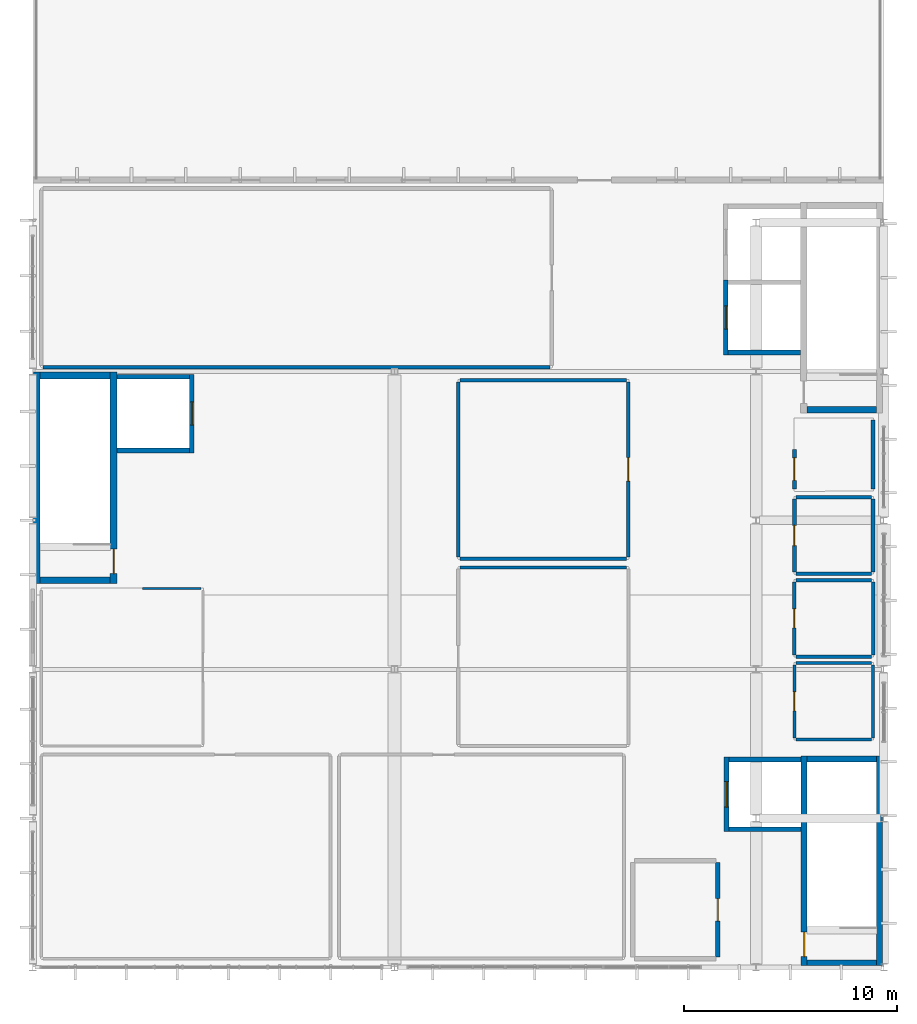
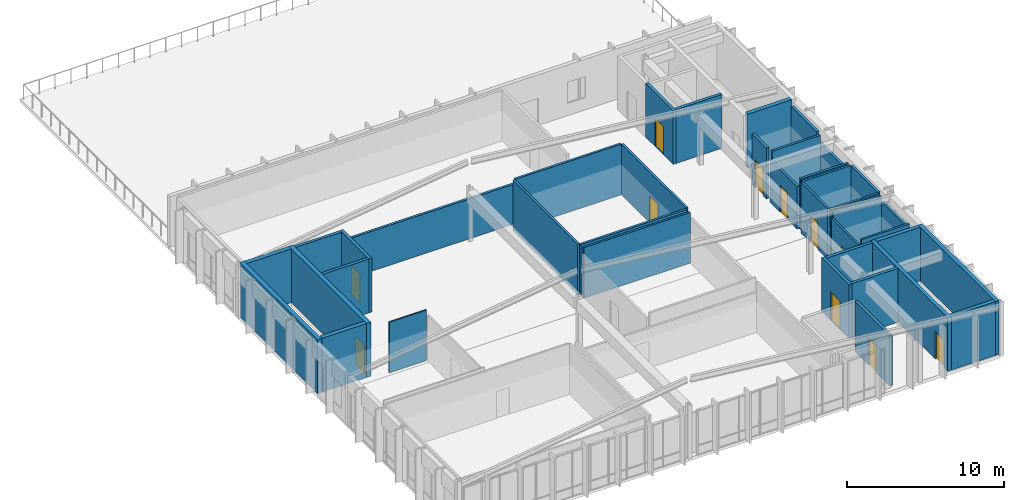
# One storey, part 13 of 16: 39 walls, 11 doors, 11 openings.
"""IFC4 building model written with IfcOpenShell, lengths in metres."""

from ifc_helpers import new_model, si_unit, direction, frame, frame_2d, origin, place, context, subcontext, project, spatial, rectangle, extrude, material, layer, layer_set, type_object, element, fill, save


model = new_model("IFC4")

# Units and contexts
model_context = context("Model", 3, precision=1e-05, world=origin(), true_north=direction((0.0, 1.0)))
body_context = subcontext(model_context, "Body", "Model", "MODEL_VIEW")
ifc_project = project(units=[si_unit("LENGTHUNIT", "METRE"), si_unit("AREAUNIT", "SQUARE_METRE"), si_unit("VOLUMEUNIT", "CUBIC_METRE"), si_unit("PLANEANGLEUNIT", "RADIAN"), si_unit("MASSUNIT", "GRAM", prefix="KILO")], contexts=[model_context])

# Site, building, storey
site_placement = place(None, origin())
site = spatial("IfcSite", under=ifc_project, at=site_placement, CompositionType="ELEMENT")
building_placement = place(site_placement, origin())
building = spatial("IfcBuilding", under=site, at=building_placement, Name="Larkveld Mobility Hub", CompositionType="ELEMENT")
storey_placement = place(building_placement, frame((0.0, 0.0, 22.800048828125)))
storey = spatial("IfcBuildingStorey", under=building, at=storey_placement, Name="L06", CompositionType="ELEMENT", Elevation=22.800048828125)

# Wall, opening, door
ifc_material_1 = material(Name="Concrete C40/50", Category="concrete")
ifc_layer_1 = layer(ifc_material_1, 0.280029296875, Name="Concrete C40/50", Category="concrete")
ifc_layer_set_1 = layer_set([ifc_layer_1], Name="Concrete C40/50")
wall_type_1 = type_object("IfcWallType", Name="WL-CORE-280", PredefinedType="SHEAR", material=ifc_layer_set_1)
wall_1_placement = place(storey_placement, frame((148.260009765625, 28.070068359375, 0.0), z_axis=(0.0, 0.0, 1.0), x_axis=(0.0, 1.0, 0.0)))
wall_1 = element("IfcWall", 1, at=wall_1_placement, inside=storey, type_object=wall_type_1, Name="Core C1 Stair Shear Wall L06-W", PredefinedType="SHEAR", context=body_context, shape_type="SweptSolid", body=[
    extrude(rectangle(XDim=9.85986328125, YDim=0.280029296875, at=frame_2d((4.929931640625, 0.0))), origin(), (0.0, 0.0, 1.0), 4.199951171875),
])
opening_1_placement = place(wall_1_placement, frame((0.429931640625, 0.0, 0.0)))
opening_1 = element("IfcOpeningElement", 2, at=opening_1_placement, cuts=wall_1, Name="Opening DF01", PredefinedType="OPENING", context=body_context, shape_type="SweptSolid", body=[
    extrude(rectangle(XDim=1.14990234375, YDim=2.14990234375, at=frame_2d((0.574951171875, 1.074951171875))), frame((0.0, 0.14990234375, 0.0), z_axis=(0.0, -1.0, 0.0), x_axis=(1.0, 0.0, 0.0)), (0.0, 0.0, 1.0), 0.300048828125),
])
ifc_material_2 = material(Name="Pressed Steel S355JR fire door assembly", Category="steel")
door_type_1 = type_object("IfcDoorType", Name="DR-FD120", OperationType="NOTDEFINED", PredefinedType="DOOR", material=ifc_material_2)
door_1_placement = place(opening_1_placement, origin())
door_1 = element("IfcDoor", 3, at=door_1_placement, inside=storey, type_object=door_type_1, Name="Stair ST1 Fire Door L06", OperationType="SINGLE_SWING_RIGHT", OverallHeight=2.14990234375, OverallWidth=1.14990234375, PredefinedType="DOOR", context=body_context, shape_type="SweptSolid", body=[
    extrude(rectangle(XDim=1.14990234375, YDim=2.14990234375, at=frame_2d((0.574951171875, 1.074951171875))), frame((0.0, 0.02490234375, 0.0), z_axis=(0.0, -1.0, 0.0), x_axis=(1.0, 0.0, 0.0)), (0.0, 0.0, 1.0), 0.050048828125),
])
fill(opening_1, door_1)

# Walls
wall_2_placement = place(storey_placement, frame((151.7900390625, 37.929931640625, 0.0), z_axis=(0.0, 0.0, 1.0), x_axis=(0.0, -1.0, 0.0)))
element("IfcWall", 4, at=wall_2_placement, inside=storey, type_object=wall_type_1, Name="Core C1 Stair Shear Wall L06-E", PredefinedType="SHEAR", context=body_context, shape_type="SweptSolid", body=[
    extrude(rectangle(XDim=9.85986328125, YDim=0.280029296875, at=frame_2d((4.929931640625, 0.0))), origin(), (0.0, 0.0, 1.0), 4.199951171875),
])
for number, where, z_axis, x_axis, name in (
    (5, (151.64990234375, 28.2099609375, 0.0), (0.0, 0.0, 1.0), (-1.0, 0.0, 0.0), "Core C1 Stair Shear Wall L06-S"),
    (6, (148.39990234375, 37.7900390625, 0.0), (0.0, 0.0, 1.0), (1.0, 0.0, 0.0), "Core C1 Stair Shear Wall L06-N"),
):
    element("IfcWall", number, at=place(storey_placement, frame(where, z_axis=z_axis, x_axis=x_axis)), inside=storey, type_object=wall_type_1, Name=name, PredefinedType="SHEAR", context=body_context, shape_type="SweptSolid", body=[
        extrude(rectangle(XDim=3.25, YDim=0.280029296875, at=frame_2d((1.625, 0.0))), origin(), (0.0, 0.0, 1.0), 4.199951171875),
    ])
ifc_material_3 = material(Name="Concrete blockwork masonry 14 MPa", Category="masonry")
ifc_layer_2 = layer(ifc_material_3, 0.10009765625, Name="Concrete blockwork masonry 14 MPa", Category="masonry")
ifc_layer_set_2 = layer_set([ifc_layer_2], Name="Concrete blockwork masonry 14 MPa")
wall_type_2 = type_object("IfcWallType", Name="WL-PRT-100", PredefinedType="PARTITIONING", material=ifc_layer_set_2)
wall_3_placement = place(storey_placement, frame((117.14990234375, 45.7939453125, 0.0), z_axis=(0.0, 0.0, 1.0), x_axis=(1.0, 0.0, 0.0)))
element("IfcWall", 7, at=wall_3_placement, inside=storey, type_object=wall_type_2, Name="Sports Medicine and Rehabilitation Clinic Partition 0310", PredefinedType="PARTITIONING", context=body_context, shape_type="SweptSolid", body=[
    extrude(rectangle(XDim=2.76416015625, YDim=0.10009765625, at=frame_2d((1.382080078125, 0.0))), origin(), (0.0, 0.0, 1.0), 3.945068359375),
])
ifc_layer_3 = layer(ifc_material_3, 0.14990234375, Name="Concrete blockwork masonry 14 MPa", Category="masonry")
ifc_layer_set_3 = layer_set([ifc_layer_3], Name="Concrete blockwork masonry 14 MPa")
wall_type_3 = type_object("IfcWallType", Name="WL-PRT-150", PredefinedType="PARTITIONING", material=ifc_layer_set_3)
for number, where, z_axis, x_axis, name in (
    (8, (147.8798828125, 38.699951171875, 0.0), (0.0, 0.0, 1.0), (1.0, 0.0, 0.0), "Male Public Toilet Partition 0275"),
    (9, (147.8798828125, 42.2939453125, 0.0), (0.0, 0.0, 1.0), (1.0, 0.0, 0.0), "Male Public Toilet Partition 0276"),
):
    element("IfcWall", number, at=place(storey_placement, frame(where, z_axis=z_axis, x_axis=x_axis)), inside=storey, type_object=wall_type_3, Name=name, PredefinedType="PARTITIONING", context=body_context, shape_type="SweptSolid", body=[
        extrude(rectangle(XDim=3.5341796875, YDim=0.14990234375, at=frame_2d((1.76708984375, 0.0))), origin(), (0.0, 0.0, 1.0), 3.945068359375),
    ])

# Wall, opening, door
wall_4_placement = place(storey_placement, frame((147.800048828125, 38.780029296875, 0.0), z_axis=(0.0, 0.0, 1.0), x_axis=(0.0, 1.0, 0.0)))
wall_4 = element("IfcWall", 10, at=wall_4_placement, inside=storey, type_object=wall_type_3, Name="Male Public Toilet Partition 0277", PredefinedType="PARTITIONING", context=body_context, shape_type="SweptSolid", body=[
    extrude(rectangle(XDim=3.43408203125, YDim=0.14990234375, at=frame_2d((1.717041015625, 0.0))), origin(), (0.0, 0.0, 1.0), 3.494873046875),
])
opening_2_placement = place(wall_4_placement, frame((1.26708984375, 0.0, 0.0)))
opening_2 = element("IfcOpeningElement", 11, at=opening_2_placement, cuts=wall_4, Name="Opening DI01", PredefinedType="OPENING", context=body_context, shape_type="SweptSolid", body=[
    extrude(rectangle(XDim=0.89990234375, YDim=2.10009765625, at=frame_2d((0.449951171875, 1.050048828125))), frame((0.0, 0.0849609375, 0.0), z_axis=(0.0, -1.0, 0.0), x_axis=(1.0, 0.0, 0.0)), (0.0, 0.0, 1.0), 0.169921875),
])
ifc_material_4 = material(Name="Solid-core hardwood timber door in aluminium frame", Category="wood")
door_type_2 = type_object("IfcDoorType", Name="DR-INT-090", OperationType="NOTDEFINED", PredefinedType="DOOR", material=ifc_material_4)
door_2_placement = place(opening_2_placement, origin())
door_2 = element("IfcDoor", 12, at=door_2_placement, inside=storey, type_object=door_type_2, Name="Male Public Toilet Door 0070", OperationType="SINGLE_SWING_LEFT", OverallHeight=2.10009765625, OverallWidth=0.89990234375, PredefinedType="DOOR", context=body_context, shape_type="SweptSolid", body=[
    extrude(rectangle(XDim=0.89990234375, YDim=2.10009765625, at=frame_2d((0.449951171875, 1.050048828125))), frame((0.0, 0.02490234375, 0.0), z_axis=(0.0, -1.0, 0.0), x_axis=(1.0, 0.0, 0.0)), (0.0, 0.0, 1.0), 0.050048828125),
])
fill(opening_2, door_2)

# Walls
wall_5_placement = place(storey_placement, frame((151.493896484375, 38.780029296875, 0.0), z_axis=(0.0, 0.0, 1.0), x_axis=(0.0, 1.0, 0.0)))
element("IfcWall", 13, at=wall_5_placement, inside=storey, type_object=wall_type_3, Name="Male Public Toilet Partition 0278", PredefinedType="PARTITIONING", context=body_context, shape_type="SweptSolid", body=[
    extrude(rectangle(XDim=3.43408203125, YDim=0.14990234375, at=frame_2d((1.717041015625, 0.0))), origin(), (0.0, 0.0, 1.0), 3.494873046875),
])
wall_6_placement = place(storey_placement, frame((132.080078125, 46.7939453125, 0.0), z_axis=(0.0, 0.0, 1.0), x_axis=(1.0, 0.0, 0.0)))
element("IfcWall", 14, at=wall_6_placement, inside=storey, type_object=wall_type_3, Name="Match Officials Changing Room and Office Partition 0298", PredefinedType="PARTITIONING", context=body_context, shape_type="SweptSolid", body=[
    extrude(rectangle(XDim=7.833984375, YDim=0.14990234375, at=frame_2d((3.9169921875, 0.0))), origin(), (0.0, 0.0, 1.0), 3.945068359375),
])
ifc_layer_4 = layer(ifc_material_3, 0.1650390625, Name="Concrete blockwork masonry 14 MPa", Category="masonry")
ifc_layer_set_4 = layer_set([ifc_layer_4], Name="Concrete blockwork masonry 14 MPa")
wall_type_4 = type_object("IfcWallType", Name="WL-PRT-165", PredefinedType="PARTITIONING", material=ifc_layer_set_4)
for number, where, z_axis, x_axis, name in (
    (15, (147.8798828125, 42.60009765625, 0.0), (0.0, 0.0, 1.0), (1.0, 0.0, 0.0), "Female Public Toilet Partition 0279"),
    (16, (147.8798828125, 46.194091796875, 0.0), (0.0, 0.0, 1.0), (1.0, 0.0, 0.0), "Female Public Toilet Partition 0280"),
):
    element("IfcWall", number, at=place(storey_placement, frame(where, z_axis=z_axis, x_axis=x_axis)), inside=storey, type_object=wall_type_4, Name=name, PredefinedType="PARTITIONING", context=body_context, shape_type="SweptSolid", body=[
        extrude(rectangle(XDim=3.5341796875, YDim=0.1650390625, at=frame_2d((1.76708984375, 0.0))), origin(), (0.0, 0.0, 1.0), 3.945068359375),
    ])

# Wall, opening, door
wall_7_placement = place(storey_placement, frame((147.800048828125, 42.679931640625, 0.0), z_axis=(0.0, 0.0, 1.0), x_axis=(0.0, 1.0, 0.0)))
wall_7 = element("IfcWall", 17, at=wall_7_placement, inside=storey, type_object=wall_type_4, Name="Female Public Toilet Partition 0281", PredefinedType="PARTITIONING", context=body_context, shape_type="SweptSolid", body=[
    extrude(rectangle(XDim=3.43408203125, YDim=0.1650390625, at=frame_2d((1.717041015625, 0.0))), origin(), (0.0, 0.0, 1.0), 3.945068359375),
])
opening_3_placement = place(wall_7_placement, frame((1.26708984375, 0.0, 0.0)))
opening_3 = element("IfcOpeningElement", 18, at=opening_3_placement, cuts=wall_7, Name="Opening DI01", PredefinedType="OPENING", context=body_context, shape_type="SweptSolid", body=[
    extrude(rectangle(XDim=0.89990234375, YDim=2.10009765625, at=frame_2d((0.449951171875, 1.050048828125))), frame((0.0, 0.092529296875, 0.0), z_axis=(0.0, -1.0, 0.0), x_axis=(1.0, 0.0, 0.0)), (0.0, 0.0, 1.0), 0.18505859375),
])
door_3_placement = place(opening_3_placement, origin())
door_3 = element("IfcDoor", 19, at=door_3_placement, inside=storey, type_object=door_type_2, Name="Female Public Toilet Door 0071", OperationType="SINGLE_SWING_RIGHT", OverallHeight=2.10009765625, OverallWidth=0.89990234375, PredefinedType="DOOR", context=body_context, shape_type="SweptSolid", body=[
    extrude(rectangle(XDim=0.89990234375, YDim=2.10009765625, at=frame_2d((0.449951171875, 1.050048828125))), frame((0.0, 0.02490234375, 0.0), z_axis=(0.0, -1.0, 0.0), x_axis=(1.0, 0.0, 0.0)), (0.0, 0.0, 1.0), 0.050048828125),
])
fill(opening_3, door_3)

# Walls
wall_8_placement = place(storey_placement, frame((151.493896484375, 42.679931640625, 0.0), z_axis=(0.0, 0.0, 1.0), x_axis=(0.0, 1.0, 0.0)))
element("IfcWall", 20, at=wall_8_placement, inside=storey, type_object=wall_type_4, Name="Female Public Toilet Partition 0282", PredefinedType="PARTITIONING", context=body_context, shape_type="SweptSolid", body=[
    extrude(rectangle(XDim=3.43408203125, YDim=0.1650390625, at=frame_2d((1.717041015625, 0.0))), origin(), (0.0, 0.0, 1.0), 3.945068359375),
])
for number, where, z_axis, x_axis, name in (
    (21, (132.080078125, 47.199951171875, 0.0), (0.0, 0.0, 1.0), (1.0, 0.0, 0.0), "Rooftop Sports Pavilion Refreshment Cafe Partition 0301"),
    (22, (132.080078125, 55.593994140625, 0.0), (0.0, 0.0, 1.0), (1.0, 0.0, 0.0), "Rooftop Sports Pavilion Refreshment Cafe Partition 0302"),
):
    element("IfcWall", number, at=place(storey_placement, frame(where, z_axis=z_axis, x_axis=x_axis)), inside=storey, type_object=wall_type_4, Name=name, PredefinedType="PARTITIONING", context=body_context, shape_type="SweptSolid", body=[
        extrude(rectangle(XDim=7.833984375, YDim=0.1650390625, at=frame_2d((3.9169921875, 0.0))), origin(), (0.0, 0.0, 1.0), 3.945068359375),
    ])
wall_9_placement = place(storey_placement, frame((132.0, 47.280029296875, 0.0), z_axis=(0.0, 0.0, 1.0), x_axis=(0.0, 1.0, 0.0)))
element("IfcWall", 23, at=wall_9_placement, inside=storey, type_object=wall_type_4, Name="Rooftop Sports Pavilion Refreshment Cafe Partition 0303", PredefinedType="PARTITIONING", context=body_context, shape_type="SweptSolid", body=[
    extrude(rectangle(XDim=8.23388671875, YDim=0.1650390625, at=frame_2d((4.116943359375, 0.0))), origin(), (0.0, 0.0, 1.0), 3.945068359375),
])

# Wall, opening, door
wall_10_placement = place(storey_placement, frame((139.993896484375, 47.280029296875, 0.0), z_axis=(0.0, 0.0, 1.0), x_axis=(0.0, 1.0, 0.0)))
wall_10 = element("IfcWall", 24, at=wall_10_placement, inside=storey, type_object=wall_type_4, Name="Rooftop Sports Pavilion Refreshment Cafe Partition 0304", PredefinedType="PARTITIONING", context=body_context, shape_type="SweptSolid", body=[
    extrude(rectangle(XDim=8.23388671875, YDim=0.1650390625, at=frame_2d((4.116943359375, 0.0))), origin(), (0.0, 0.0, 1.0), 3.945068359375),
])
opening_4_placement = place(wall_10_placement, frame((3.56689453125, 0.0, 0.0)))
opening_4 = element("IfcOpeningElement", 25, at=opening_4_placement, cuts=wall_10, Name="Opening DI05", PredefinedType="OPENING", context=body_context, shape_type="SweptSolid", body=[
    extrude(rectangle(XDim=1.10009765625, YDim=2.10009765625, at=frame_2d((0.550048828125, 1.050048828125))), frame((0.0, 0.092529296875, 0.0), z_axis=(0.0, -1.0, 0.0), x_axis=(1.0, 0.0, 0.0)), (0.0, 0.0, 1.0), 0.18505859375),
])
door_type_3 = type_object("IfcDoorType", Name="DR-INT-110", OperationType="NOTDEFINED", PredefinedType="DOOR", material=ifc_material_4)
door_4_placement = place(opening_4_placement, origin())
door_4 = element("IfcDoor", 26, at=door_4_placement, inside=storey, type_object=door_type_3, Name="Rooftop Sports Pavilion Refreshment Cafe Door 0077", OperationType="SINGLE_SWING_RIGHT", OverallHeight=2.10009765625, OverallWidth=1.10009765625, PredefinedType="DOOR", context=body_context, shape_type="SweptSolid", body=[
    extrude(rectangle(XDim=1.10009765625, YDim=2.10009765625, at=frame_2d((0.550048828125, 1.050048828125))), frame((0.0, 0.02490234375, 0.0), z_axis=(0.0, -1.0, 0.0), x_axis=(1.0, 0.0, 0.0)), (0.0, 0.0, 1.0), 0.050048828125),
])
fill(opening_4, door_4)

# Walls
ifc_layer_5 = layer(ifc_material_3, 0.175048828125, Name="Concrete blockwork masonry 14 MPa", Category="masonry")
ifc_layer_set_5 = layer_set([ifc_layer_5], Name="Concrete blockwork masonry 14 MPa")
wall_type_5 = type_object("IfcWallType", Name="WL-PRT-175", PredefinedType="PARTITIONING", material=ifc_layer_set_5)
for number, where, z_axis, x_axis, name in (
    (27, (147.8798828125, 46.5, 0.0), (0.0, 0.0, 1.0), (1.0, 0.0, 0.0), "Accessible Unisex Toilet Partition 0283"),
    (28, (147.8798828125, 50.093994140625, 0.0), (0.0, 0.0, 1.0), (1.0, 0.0, 0.0), "Accessible Unisex Toilet Partition 0284"),
):
    element("IfcWall", number, at=place(storey_placement, frame(where, z_axis=z_axis, x_axis=x_axis)), inside=storey, type_object=wall_type_5, Name=name, PredefinedType="PARTITIONING", context=body_context, shape_type="SweptSolid", body=[
        extrude(rectangle(XDim=3.5341796875, YDim=0.175048828125, at=frame_2d((1.76708984375, 0.0))), origin(), (0.0, 0.0, 1.0), 3.945068359375),
    ])

# Wall, opening, door
wall_11_placement = place(storey_placement, frame((147.800048828125, 46.580078125, 0.0), z_axis=(0.0, 0.0, 1.0), x_axis=(0.0, 1.0, 0.0)))
wall_11 = element("IfcWall", 29, at=wall_11_placement, inside=storey, type_object=wall_type_5, Name="Accessible Unisex Toilet Partition 0285", PredefinedType="PARTITIONING", context=body_context, shape_type="SweptSolid", body=[
    extrude(rectangle(XDim=3.433837890625, YDim=0.175048828125, at=frame_2d((1.716796875, 0.0))), origin(), (0.0, 0.0, 1.0), 3.31494140625),
])
opening_5_placement = place(wall_11_placement, frame((1.241943359375, 0.0, 0.0)))
opening_5 = element("IfcOpeningElement", 30, at=opening_5_placement, cuts=wall_11, Name="Opening DI02", PredefinedType="OPENING", context=body_context, shape_type="SweptSolid", body=[
    extrude(rectangle(XDim=0.949951171875, YDim=2.10009765625, at=frame_2d((0.47509765625, 1.050048828125))), frame((0.0, 0.09765625, 0.0), z_axis=(0.0, -1.0, 0.0), x_axis=(1.0, 0.0, 0.0)), (0.0, 0.0, 1.0), 0.195068359375),
])
door_type_4 = type_object("IfcDoorType", Name="DR-INT-095", OperationType="NOTDEFINED", PredefinedType="DOOR", material=ifc_material_4)
door_5_placement = place(opening_5_placement, origin())
door_5 = element("IfcDoor", 31, at=door_5_placement, inside=storey, type_object=door_type_4, Name="Accessible Unisex Toilet Door 0072", OperationType="SINGLE_SWING_LEFT", OverallHeight=2.10009765625, OverallWidth=0.949951171875, PredefinedType="DOOR", context=body_context, shape_type="SweptSolid", body=[
    extrude(rectangle(XDim=0.949951171875, YDim=2.10009765625, at=frame_2d((0.47509765625, 1.050048828125))), frame((0.0, 0.02490234375, 0.0), z_axis=(0.0, -1.0, 0.0), x_axis=(1.0, 0.0, 0.0)), (0.0, 0.0, 1.0), 0.050048828125),
])
fill(opening_5, door_5)

# Walls
wall_12_placement = place(storey_placement, frame((151.493896484375, 46.580078125, 0.0), z_axis=(0.0, 0.0, 1.0), x_axis=(0.0, 1.0, 0.0)))
element("IfcWall", 32, at=wall_12_placement, inside=storey, type_object=wall_type_5, Name="Accessible Unisex Toilet Partition 0286", PredefinedType="PARTITIONING", context=body_context, shape_type="SweptSolid", body=[
    extrude(rectangle(XDim=3.433837890625, YDim=0.175048828125, at=frame_2d((1.716796875, 0.0))), origin(), (0.0, 0.0, 1.0), 3.31494140625),
])
wall_13_placement = place(storey_placement, frame((112.47998046875, 56.199951171875, 0.0), z_axis=(0.0, 0.0, 1.0), x_axis=(1.0, 0.0, 0.0)))
element("IfcWall", 33, at=wall_13_placement, inside=storey, type_object=wall_type_5, Name="Harbour View Spectator Club Lounge Partition 0305", PredefinedType="PARTITIONING", context=body_context, shape_type="SweptSolid", body=[
    extrude(rectangle(XDim=23.840087890625, YDim=0.175048828125, at=frame_2d((11.919921875, 0.0))), origin(), (0.0, 0.0, 1.0), 3.114990234375),
])

# Wall, opening, door
ifc_layer_6 = layer(ifc_material_3, 0.195068359375, Name="Concrete blockwork masonry 14 MPa", Category="masonry")
ifc_layer_set_6 = layer_set([ifc_layer_6], Name="Concrete blockwork masonry 14 MPa")
wall_type_6 = type_object("IfcWallType", Name="WL-PRT-195", PredefinedType="PARTITIONING", material=ifc_layer_set_6)
wall_14_placement = place(storey_placement, frame((147.800048828125, 50.47998046875, 0.0), z_axis=(0.0, 0.0, 1.0), x_axis=(0.0, 1.0, 0.0)))
wall_14 = element("IfcWall", 34, at=wall_14_placement, inside=storey, type_object=wall_type_6, Name="Cleaners Store Room Partition 0287", PredefinedType="PARTITIONING", context=body_context, shape_type="SweptSolid", body=[
    extrude(rectangle(XDim=1.864013671875, YDim=0.195068359375, at=frame_2d((0.93212890625, 0.0))), origin(), (0.0, 0.0, 1.0), 3.945068359375),
])
opening_6_placement = place(wall_14_placement, frame((0.406982421875, 0.0, 0.0)))
opening_6 = element("IfcOpeningElement", 35, at=opening_6_placement, cuts=wall_14, Name="Opening DF02", PredefinedType="OPENING", context=body_context, shape_type="SweptSolid", body=[
    extrude(rectangle(XDim=1.050048828125, YDim=2.14990234375, at=frame_2d((0.52490234375, 1.074951171875))), frame((0.0, 0.107421875, 0.0), z_axis=(0.0, -1.0, 0.0), x_axis=(1.0, 0.0, 0.0)), (0.0, 0.0, 1.0), 0.215087890625),
])
door_type_5 = type_object("IfcDoorType", Name="DR-FD60", OperationType="NOTDEFINED", PredefinedType="DOOR", material=ifc_material_2)
door_6_placement = place(opening_6_placement, origin())
door_6 = element("IfcDoor", 36, at=door_6_placement, inside=storey, type_object=door_type_5, Name="Cleaners Store Room Door 0073", OperationType="SINGLE_SWING_RIGHT", OverallHeight=2.14990234375, OverallWidth=1.050048828125, PredefinedType="DOOR", context=body_context, shape_type="SweptSolid", body=[
    extrude(rectangle(XDim=1.050048828125, YDim=2.14990234375, at=frame_2d((0.52490234375, 1.074951171875))), frame((0.0, 0.02490234375, 0.0), z_axis=(0.0, -1.0, 0.0), x_axis=(1.0, 0.0, 0.0)), (0.0, 0.0, 1.0), 0.050048828125),
])
fill(opening_6, door_6)

# Wall
wall_15_placement = place(storey_placement, frame((151.493896484375, 50.47998046875, 0.0), z_axis=(0.0, 0.0, 1.0), x_axis=(0.0, 1.0, 0.0)))
element("IfcWall", 37, at=wall_15_placement, inside=storey, type_object=wall_type_6, Name="Cleaners Store Room Partition 0288", PredefinedType="PARTITIONING", context=body_context, shape_type="SweptSolid", body=[
    extrude(rectangle(XDim=3.234130859375, YDim=0.195068359375, at=frame_2d((1.6171875, 0.0))), origin(), (0.0, 0.0, 1.0), 3.945068359375),
])

# Wall, opening, door
ifc_layer_7 = layer(ifc_material_3, 0.2099609375, Name="Concrete blockwork masonry 14 MPa", Category="masonry")
ifc_layer_set_7 = layer_set([ifc_layer_7], Name="Concrete blockwork masonry 14 MPa")
wall_type_7 = type_object("IfcWallType", Name="WL-PRT-210", PredefinedType="PARTITIONING", material=ifc_layer_set_7)
wall_16_placement = place(storey_placement, frame((144.195068359375, 28.47998046875, 0.0), z_axis=(0.0, 0.0, 1.0), x_axis=(0.0, 1.0, 0.0)))
wall_16 = element("IfcWall", 38, at=wall_16_placement, inside=storey, type_object=wall_type_7, Name="Pavilion Heat-Recovery Ventilation Plant Room Partition 0316", PredefinedType="PARTITIONING", context=body_context, shape_type="SweptSolid", body=[
    extrude(rectangle(XDim=4.43505859375, YDim=0.2099609375, at=frame_2d((2.217529296875, 0.0))), origin(), (0.0, 0.0, 1.0), 3.945068359375),
])
opening_7_placement = place(wall_16_placement, frame((1.69189453125, 0.0, 0.0)))
opening_7 = element("IfcOpeningElement", 39, at=opening_7_placement, cuts=wall_16, Name="Opening DF02", PredefinedType="OPENING", context=body_context, shape_type="SweptSolid", body=[
    extrude(rectangle(XDim=1.050048828125, YDim=2.14990234375, at=frame_2d((0.52490234375, 1.074951171875))), frame((0.0, 0.114990234375, 0.0), z_axis=(0.0, -1.0, 0.0), x_axis=(1.0, 0.0, 0.0)), (0.0, 0.0, 1.0), 0.22998046875),
])
door_7_placement = place(opening_7_placement, origin())
door_7 = element("IfcDoor", 40, at=door_7_placement, inside=storey, type_object=door_type_5, Name="Pavilion Heat-Recovery Ventilation Plant Room Door 0080", OperationType="SINGLE_SWING_LEFT", OverallHeight=2.14990234375, OverallWidth=1.050048828125, PredefinedType="DOOR", context=body_context, shape_type="SweptSolid", body=[
    extrude(rectangle(XDim=1.050048828125, YDim=2.14990234375, at=frame_2d((0.52490234375, 1.074951171875))), frame((0.0, 0.02490234375, 0.0), z_axis=(0.0, -1.0, 0.0), x_axis=(1.0, 0.0, 0.0)), (0.0, 0.0, 1.0), 0.050048828125),
])
fill(opening_7, door_7)

ifc_layer_8 = layer(ifc_material_1, 0.219970703125, Name="Concrete C40/50", Category="concrete")
ifc_layer_set_8 = layer_set([ifc_layer_8], Name="Concrete C40/50")
wall_type_8 = type_object("IfcWallType", Name="WL-SHF-220", PredefinedType="SHEAR", material=ifc_layer_set_8)
wall_17_placement = place(storey_placement, frame((144.610107421875, 34.3798828125, 0.0), z_axis=(0.0, 0.0, 1.0), x_axis=(0.0, 1.0, 0.0)))
wall_17 = element("IfcWall", 41, at=wall_17_placement, inside=storey, type_object=wall_type_8, Name="Lift FL1 Shaft Wall L06-W", PredefinedType="SHEAR", context=body_context, shape_type="SweptSolid", body=[
    extrude(rectangle(XDim=3.490234375, YDim=0.219970703125, at=frame_2d((1.7451171875, 0.0))), origin(), (0.0, 0.0, 1.0), 4.199951171875),
])
opening_8_placement = place(wall_17_placement, frame((1.14501953125, 0.0, 0.0)))
opening_8 = element("IfcOpeningElement", 42, at=opening_8_placement, cuts=wall_17, Name="Opening LD02", PredefinedType="OPENING", context=body_context, shape_type="SweptSolid", body=[
    extrude(rectangle(XDim=1.199951171875, YDim=2.199951171875, at=frame_2d((0.60009765625, 1.10009765625))), frame((0.0, 0.1201171875, 0.0), z_axis=(0.0, -1.0, 0.0), x_axis=(1.0, 0.0, 0.0)), (0.0, 0.0, 1.0), 0.239990234375),
])
ifc_material_5 = material(Name="Brushed stainless Steel S355JR sliding landing door", Category="steel")
door_type_6 = type_object("IfcDoorType", Name="DR-LD-120", OperationType="DOUBLE_DOOR_SLIDING", PredefinedType="DOOR", material=ifc_material_5)
door_8_placement = place(opening_8_placement, origin())
door_8 = element("IfcDoor", 43, at=door_8_placement, inside=storey, type_object=door_type_6, Name="Lift landing door FL1-L06", OperationType="DOUBLE_DOOR_SLIDING", OverallHeight=2.199951171875, OverallWidth=1.199951171875, PredefinedType="DOOR", context=body_context, shape_type="SweptSolid", body=[
    extrude(rectangle(XDim=1.199951171875, YDim=2.199951171875, at=frame_2d((0.60009765625, 1.10009765625))), frame((0.0, 0.02490234375, 0.0), z_axis=(0.0, -1.0, 0.0), x_axis=(1.0, 0.0, 0.0)), (0.0, 0.0, 1.0), 0.050048828125),
])
fill(opening_8, door_8)

# Walls
for number, where, z_axis, x_axis, name in (
    (44, (148.1201171875, 34.489990234375, 0.0), (0.0, 0.0, 1.0), (-1.0, 0.0, 0.0), "Lift FL1 Shaft Wall L06-S"),
    (45, (144.719970703125, 37.760009765625, 0.0), (0.0, 0.0, 1.0), (1.0, 0.0, 0.0), "Lift FL1 Shaft Wall L06-N"),
):
    element("IfcWall", number, at=place(storey_placement, frame(where, z_axis=z_axis, x_axis=x_axis)), inside=storey, type_object=wall_type_8, Name=name, PredefinedType="SHEAR", context=body_context, shape_type="SweptSolid", body=[
        extrude(rectangle(XDim=3.400146484375, YDim=0.219970703125, at=frame_2d((1.7001953125, 0.0))), origin(), (0.0, 0.0, 1.0), 4.199951171875),
    ])

# Wall, opening, door
wall_18_placement = place(storey_placement, frame((144.570068359375, 56.780029296875, 0.0), z_axis=(0.0, 0.0, 1.0), x_axis=(0.0, 1.0, 0.0)))
wall_18 = element("IfcWall", 46, at=wall_18_placement, inside=storey, type_object=wall_type_8, Name="Lift PL1 Shaft Wall L06-W", PredefinedType="SHEAR", context=body_context, shape_type="SweptSolid", body=[
    extrude(rectangle(XDim=3.52001953125, YDim=0.219970703125, at=frame_2d((1.760009765625, 0.0))), origin(), (0.0, 0.0, 1.0), 4.199951171875),
])
opening_9_placement = place(wall_18_placement, frame((1.2099609375, 0.0, 0.0)))
opening_9 = element("IfcOpeningElement", 47, at=opening_9_placement, cuts=wall_18, Name="Opening LD01", PredefinedType="OPENING", context=body_context, shape_type="SweptSolid", body=[
    extrude(rectangle(XDim=1.10009765625, YDim=2.199951171875, at=frame_2d((0.550048828125, 1.10009765625))), frame((0.0, 0.1201171875, 0.0), z_axis=(0.0, -1.0, 0.0), x_axis=(1.0, 0.0, 0.0)), (0.0, 0.0, 1.0), 0.239990234375),
])
door_type_7 = type_object("IfcDoorType", Name="DR-LD-110", OperationType="DOUBLE_DOOR_SLIDING", PredefinedType="DOOR", material=ifc_material_5)
door_9_placement = place(opening_9_placement, origin())
door_9 = element("IfcDoor", 48, at=door_9_placement, inside=storey, type_object=door_type_7, Name="Lift landing door PL1-L06", OperationType="DOUBLE_DOOR_SLIDING", OverallHeight=2.199951171875, OverallWidth=1.10009765625, PredefinedType="DOOR", context=body_context, shape_type="SweptSolid", body=[
    extrude(rectangle(XDim=1.10009765625, YDim=2.199951171875, at=frame_2d((0.550048828125, 1.10009765625))), frame((0.0, 0.02490234375, 0.0), z_axis=(0.0, -1.0, 0.0), x_axis=(1.0, 0.0, 0.0)), (0.0, 0.0, 1.0), 0.050048828125),
])
fill(opening_9, door_9)

# Wall
wall_19_placement = place(storey_placement, frame((148.080078125, 56.889892578125, 0.0), z_axis=(0.0, 0.0, 1.0), x_axis=(-1.0, 0.0, 0.0)))
element("IfcWall", 49, at=wall_19_placement, inside=storey, type_object=wall_type_8, Name="Lift PL1 Shaft Wall L06-S", PredefinedType="SHEAR", context=body_context, shape_type="SweptSolid", body=[
    extrude(rectangle(XDim=3.400146484375, YDim=0.219970703125, at=frame_2d((1.7001953125, 0.0))), origin(), (0.0, 0.0, 1.0), 4.199951171875),
])

# Wall, opening, door
wall_20_placement = place(storey_placement, frame((119.469970703125, 55.8701171875, 0.0), z_axis=(0.0, 0.0, 1.0), x_axis=(0.0, -1.0, 0.0)))
wall_20 = element("IfcWall", 50, at=wall_20_placement, inside=storey, type_object=wall_type_8, Name="Lift PL2 Shaft Wall L06-E", PredefinedType="SHEAR", context=body_context, shape_type="SweptSolid", body=[
    extrude(rectangle(XDim=3.690185546875, YDim=0.219970703125, at=frame_2d((1.84521484375, 0.0))), origin(), (0.0, 0.0, 1.0), 4.199951171875),
])
opening_10_placement = place(wall_20_placement, frame((1.294921875, 0.0, 0.0)))
opening_10 = element("IfcOpeningElement", 51, at=opening_10_placement, cuts=wall_20, Name="Opening LD01", PredefinedType="OPENING", context=body_context, shape_type="SweptSolid", body=[
    extrude(rectangle(XDim=1.10009765625, YDim=2.199951171875, at=frame_2d((0.550048828125, 1.10009765625))), frame((0.0, 0.1201171875, 0.0), z_axis=(0.0, -1.0, 0.0), x_axis=(1.0, 0.0, 0.0)), (0.0, 0.0, 1.0), 0.239990234375),
])
door_10_placement = place(opening_10_placement, origin())
door_10 = element("IfcDoor", 52, at=door_10_placement, inside=storey, type_object=door_type_7, Name="Lift landing door PL2-L06", OperationType="DOUBLE_DOOR_SLIDING", OverallHeight=2.199951171875, OverallWidth=1.10009765625, PredefinedType="DOOR", context=body_context, shape_type="SweptSolid", body=[
    extrude(rectangle(XDim=1.10009765625, YDim=2.199951171875, at=frame_2d((0.550048828125, 1.10009765625))), frame((0.0, 0.02490234375, 0.0), z_axis=(0.0, -1.0, 0.0), x_axis=(1.0, 0.0, 0.0)), (0.0, 0.0, 1.0), 0.050048828125),
])
fill(opening_10, door_10)

# Walls
for number, where, z_axis, x_axis, name in (
    (53, (119.360107421875, 52.2900390625, 0.0), (0.0, 0.0, 1.0), (-1.0, 0.0, 0.0), "Lift PL2 Shaft Wall L06-S"),
    (54, (115.9599609375, 55.760009765625, 0.0), (0.0, 0.0, 1.0), (1.0, 0.0, 0.0), "Lift PL2 Shaft Wall L06-N"),
):
    element("IfcWall", number, at=place(storey_placement, frame(where, z_axis=z_axis, x_axis=x_axis)), inside=storey, type_object=wall_type_8, Name=name, PredefinedType="SHEAR", context=body_context, shape_type="SweptSolid", body=[
        extrude(rectangle(XDim=3.400146484375, YDim=0.219970703125, at=frame_2d((1.7001953125, 0.0))), origin(), (0.0, 0.0, 1.0), 4.199951171875),
    ])
ifc_layer_9 = layer(ifc_material_1, 0.300048828125, Name="Concrete C40/50", Category="concrete")
ifc_layer_set_9 = layer_set([ifc_layer_9], Name="Concrete C40/50")
wall_type_9 = type_object("IfcWallType", Name="WL-SHR-02", PredefinedType="SHEAR", material=ifc_layer_set_9)
wall_21_placement = place(storey_placement, frame((151.64990234375, 54.199951171875, 0.0), z_axis=(0.0, 0.0, 1.0), x_axis=(-1.0, 0.0, 0.0)))
element("IfcWall", 55, at=wall_21_placement, inside=storey, type_object=wall_type_9, Name="Core C2 Stair Shear Wall L06-S", PredefinedType="SHEAR", context=body_context, shape_type="SweptSolid", body=[
    extrude(rectangle(XDim=3.27001953125, YDim=0.300048828125, at=frame_2d((1.635009765625, 0.0))), origin(), (0.0, 0.0, 1.0), 4.199951171875),
])
ifc_layer_10 = layer(ifc_material_1, 0.320068359375, Name="Concrete C40/50", Category="concrete")
ifc_layer_set_10 = layer_set([ifc_layer_10], Name="Concrete C40/50")
wall_type_10 = type_object("IfcWallType", Name="WL-SHR-03", PredefinedType="SHEAR", material=ifc_layer_set_10)
wall_22_placement = place(storey_placement, frame((112.18994140625, 46.030029296875, 0.0), z_axis=(0.0, 0.0, 1.0), x_axis=(0.0, 1.0, 0.0)))
element("IfcWall", 56, at=wall_22_placement, inside=storey, type_object=wall_type_10, Name="Core C3 Stair Shear Wall L06-W", PredefinedType="SHEAR", context=body_context, shape_type="SweptSolid", body=[
    extrude(rectangle(XDim=9.93994140625, YDim=0.320068359375, at=frame_2d((4.969970703125, 0.0))), origin(), (0.0, 0.0, 1.0), 4.199951171875),
])

# Wall, opening, door
wall_23_placement = place(storey_placement, frame((115.800048828125, 55.969970703125, 0.0), z_axis=(0.0, 0.0, 1.0), x_axis=(0.0, -1.0, 0.0)))
wall_23 = element("IfcWall", 57, at=wall_23_placement, inside=storey, type_object=wall_type_10, Name="Core C3 Stair Shear Wall L06-E", PredefinedType="SHEAR", context=body_context, shape_type="SweptSolid", body=[
    extrude(rectangle(XDim=9.93994140625, YDim=0.320068359375, at=frame_2d((4.969970703125, 0.0))), origin(), (0.0, 0.0, 1.0), 4.199951171875),
])
opening_11_placement = place(wall_23_placement, frame((8.320068359375, 0.0, 0.0)))
opening_11 = element("IfcOpeningElement", 58, at=opening_11_placement, cuts=wall_23, Name="Opening DF01", PredefinedType="OPENING", context=body_context, shape_type="SweptSolid", body=[
    extrude(rectangle(XDim=1.14990234375, YDim=2.14990234375, at=frame_2d((0.574951171875, 1.074951171875))), frame((0.0, 0.169921875, 0.0), z_axis=(0.0, -1.0, 0.0), x_axis=(1.0, 0.0, 0.0)), (0.0, 0.0, 1.0), 0.340087890625),
])
door_11_placement = place(opening_11_placement, origin())
door_11 = element("IfcDoor", 59, at=door_11_placement, inside=storey, type_object=door_type_1, Name="Stair ST3 Fire Door L06", OperationType="SINGLE_SWING_RIGHT", OverallHeight=2.14990234375, OverallWidth=1.14990234375, PredefinedType="DOOR", context=body_context, shape_type="SweptSolid", body=[
    extrude(rectangle(XDim=1.14990234375, YDim=2.14990234375, at=frame_2d((0.574951171875, 1.074951171875))), frame((0.0, 0.02490234375, 0.0), z_axis=(0.0, -1.0, 0.0), x_axis=(1.0, 0.0, 0.0)), (0.0, 0.0, 1.0), 0.050048828125),
])
fill(opening_11, door_11)

# Walls
for number, where, z_axis, x_axis, name in (
    (60, (115.639892578125, 46.18994140625, 0.0), (0.0, 0.0, 1.0), (-1.0, 0.0, 0.0), "Core C3 Stair Shear Wall L06-S"),
    (61, (112.35009765625, 55.81005859375, 0.0), (0.0, 0.0, 1.0), (1.0, 0.0, 0.0), "Core C3 Stair Shear Wall L06-N"),
):
    element("IfcWall", number, at=place(storey_placement, frame(where, z_axis=z_axis, x_axis=x_axis)), inside=storey, type_object=wall_type_10, Name=name, PredefinedType="SHEAR", context=body_context, shape_type="SweptSolid", body=[
        extrude(rectangle(XDim=3.289794921875, YDim=0.320068359375, at=frame_2d((1.64501953125, 0.0))), origin(), (0.0, 0.0, 1.0), 4.199951171875),
    ])

save(model, "model.ifc")
